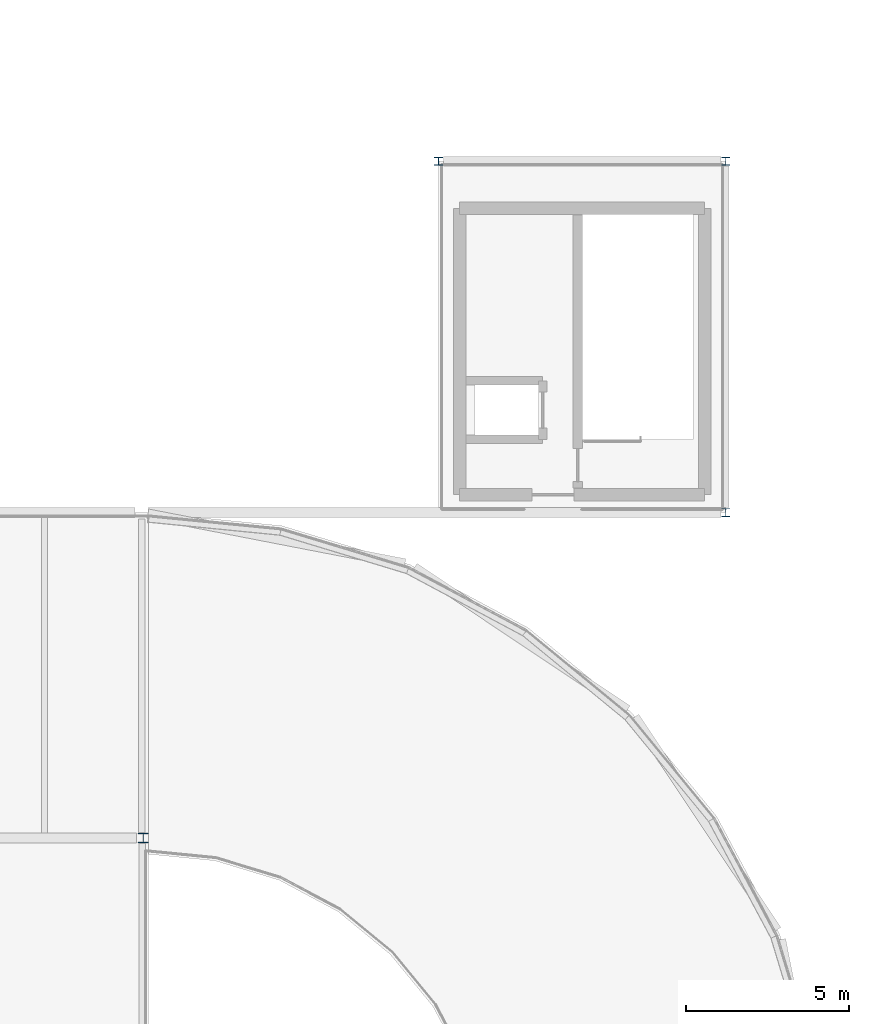
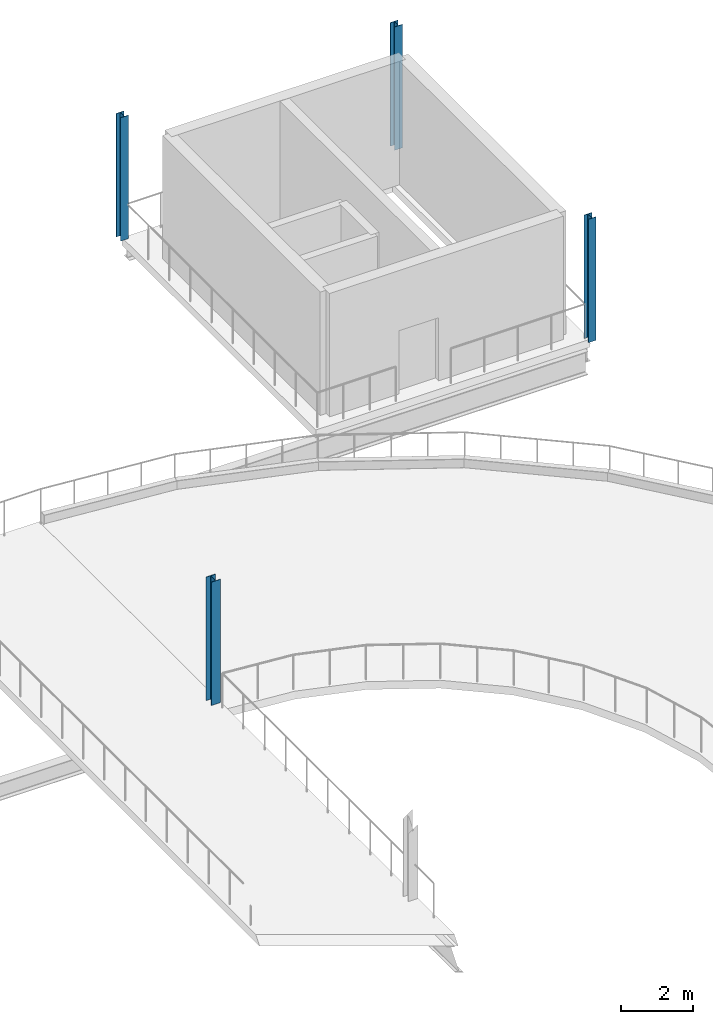
# One storey, part 15 of 58: 4 columns.
"""IFC4 building model written with IfcOpenShell, lengths in metres."""

from ifc_helpers import new_model, si_unit, direction, frame, origin, origin_2d, place, context, subcontext, project, spatial, i_section, extrude, material, material_profile, profile_set, type_object, element, save


model = new_model("IFC4")

# Units and contexts
model_context = context("Model", 3, precision=1e-05, world=origin(), true_north=direction((0.0, 1.0)))
body_context = subcontext(model_context, "Body", "Model", "MODEL_VIEW")
ifc_project = project(units=[si_unit("LENGTHUNIT", "METRE"), si_unit("AREAUNIT", "SQUARE_METRE"), si_unit("VOLUMEUNIT", "CUBIC_METRE"), si_unit("PLANEANGLEUNIT", "RADIAN"), si_unit("MASSUNIT", "GRAM", prefix="KILO")], contexts=[model_context])

# Site, building, storey
site_placement = place(None, origin())
site = spatial("IfcSite", under=ifc_project, at=site_placement, CompositionType="ELEMENT")
building_placement = place(site_placement, origin())
building = spatial("IfcBuilding", under=site, at=building_placement, Name="Yeouljin Market Hall", CompositionType="ELEMENT")
storey_placement = place(building_placement, frame((0.0, 0.0, 10.800048828125)))
storey = spatial("IfcBuildingStorey", under=building, at=storey_placement, Name="L02", CompositionType="ELEMENT", Elevation=10.800048828125)

# Columns
ifc_material_1 = material(Name="Steel SM355", Category="steel")
ifc_material_profile_1 = material_profile(ifc_material_1, i_section(OverallWidth=0.25, OverallDepth=0.25, WebThickness=0.009033203125, FlangeThickness=0.013916015625, FilletRadius=0.01611328125, at=origin_2d()), Name="H-250x250x9x14")
ifc_profile_set_1 = profile_set([ifc_material_profile_1], Name="Steel SM355")
column_type_1 = type_object("IfcColumnType", Name="Col_H-250x250x9x14", PredefinedType="COLUMN", material=ifc_profile_set_1)
for number, where, z_axis, x_axis, name in (
    (1, (149.909912109375, 88.800048828125, 0.0), (0.0, 0.0, 1.0), (1.0, 0.0, 0.0), "Column G-18-09 (L02)"),
    (2, (158.739990234375, 78.0, 0.0), (0.0, 0.0, 1.0), (1.0, 0.0, 0.0), "Column G-19-08 (L02)"),
    (3, (158.739990234375, 88.800048828125, 0.0), (0.0, 0.0, 1.0), (1.0, 0.0, 0.0), "Column G-19-09 (L02)"),
):
    element("IfcColumn", number, at=place(storey_placement, frame(where, z_axis=z_axis, x_axis=x_axis)), inside=storey, type_object=column_type_1, Name=name, PredefinedType="COLUMN", context=body_context, shape_type="SweptSolid", body=[
        extrude(i_section(OverallWidth=0.25, OverallDepth=0.25, WebThickness=0.009033203125, FlangeThickness=0.013916015625, FilletRadius=0.01611328125, at=origin_2d()), origin(), (0.0, 0.0, 1.0), 4.199951171875),
    ])
ifc_material_2 = material(Name="Steel SM355", Category="steel")
ifc_material_profile_2 = material_profile(ifc_material_2, i_section(OverallWidth=0.300048828125, OverallDepth=0.300048828125, WebThickness=0.010009765625, FlangeThickness=0.014892578125, FilletRadius=0.01806640625, at=origin_2d()), Name="H-300x300x10x15")
ifc_profile_set_2 = profile_set([ifc_material_profile_2], Name="Steel SM355")
column_type_2 = type_object("IfcColumnType", Name="Col_H-300x300x10x15", PredefinedType="COLUMN", material=ifc_profile_set_2)
column_placement = place(storey_placement, frame((140.8349609375, 68.0, 0.0), z_axis=(0.0, 0.0, 1.0), x_axis=(1.0, 0.0, 0.0)))
element("IfcColumn", 4, at=column_placement, inside=storey, type_object=column_type_2, Name="Column G-16-07 (L02)", PredefinedType="COLUMN", context=body_context, shape_type="SweptSolid", body=[
    extrude(i_section(OverallWidth=0.300048828125, OverallDepth=0.300048828125, WebThickness=0.010009765625, FlangeThickness=0.014892578125, FilletRadius=0.01806640625, at=origin_2d()), origin(), (0.0, 0.0, 1.0), 4.199951171875),
])

save(model, "model.ifc")
